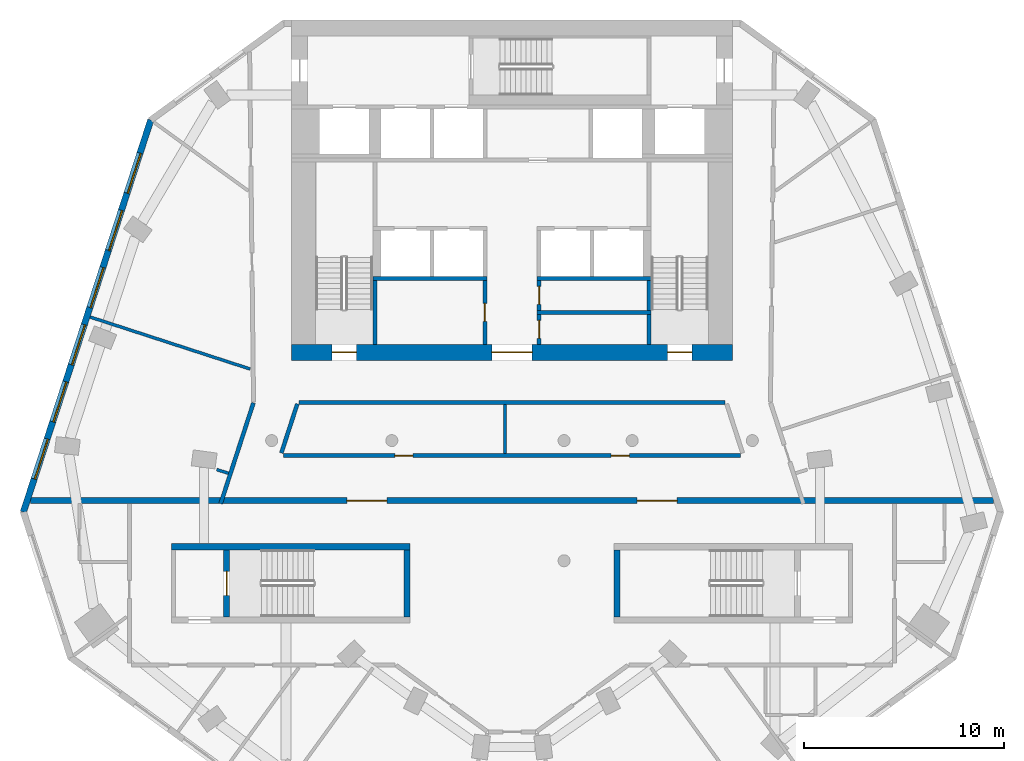
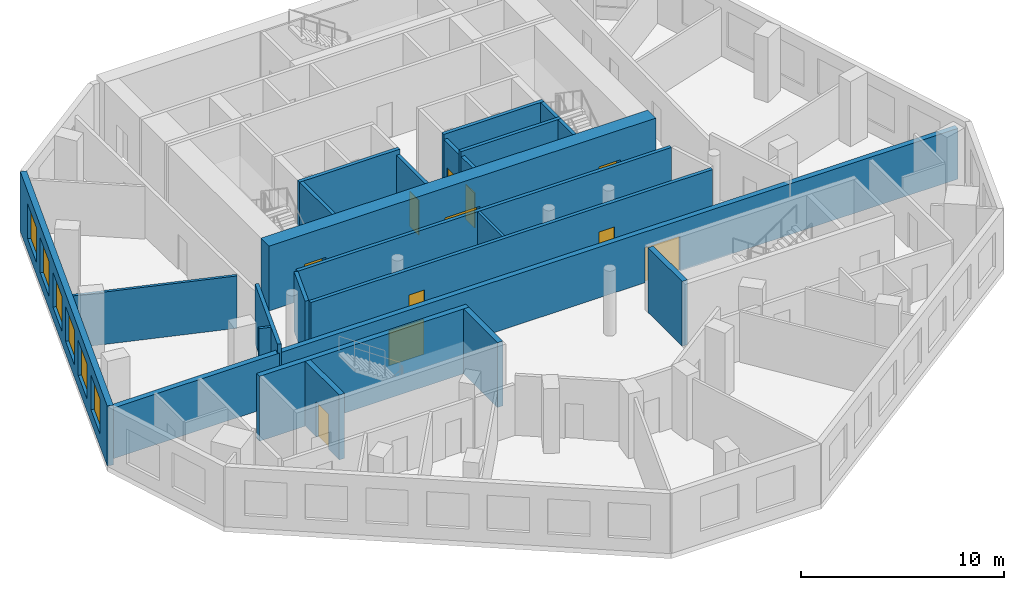
# One storey, part 3 of 9: 23 walls, 11 doors, 6 windows, 17 openings.
"""IFC4 building model written with IfcOpenShell, lengths in metres."""

import ifcopenshell
import ifcopenshell.guid

model = None  # the IFC model being written
_history = None  # IfcOwnerHistory: only IFC2X3 demands one
_inside = {}  # id of a spatial element -> (the spatial element, [elements in it])
_under = {}  # id of a project, library or spatial element -> (it, [spatial elements below it])
_declared = {}  # id of a project -> (the project, [libraries it declares])
_typed = {}  # id of a type object -> (the type object, [elements of that type])
_made_of = {}  # id of a material, layer set ... -> (it, [elements and type objects made of it])


def new_model(schema):
    """Start an empty IFC model of exactly this schema.

    Asked for "IFC4X3", IfcOpenShell would pick the latest addendum, in which some entities
    have other attributes; the version numbers below select the first issue.
    IFC2X3 requires an IfcOwnerHistory on every rooted entity: one is made here for all.
    """
    global model, _history
    if schema == "IFC4X3":
        model = ifcopenshell.file(schema_version=(4, 3, 0, 0))
    else:
        model = ifcopenshell.file(schema=schema)
    _inside.clear()
    _under.clear()
    _declared.clear()
    _typed.clear()
    _made_of.clear()
    _history = None
    if model.schema == "IFC2X3":
        org = make("IfcOrganization", Name="unknown")
        user = make(
            "IfcPersonAndOrganization",
            ThePerson=make("IfcPerson", FamilyName="unknown"),
            TheOrganization=org,
        )
        app = make(
            "IfcApplication",
            ApplicationDeveloper=org,
            Version="unknown",
            ApplicationFullName="unknown",
            ApplicationIdentifier="unknown",
        )
        _history = make(
            "IfcOwnerHistory",
            OwningUser=user,
            OwningApplication=app,
            ChangeAction="ADDED",
            CreationDate=0,
        )
    return model


def make(cls, **values):
    """One entity of the class cls with the attributes given. An attribute that is None is left unset."""
    return model.create_entity(
        cls, **{name: value for name, value in values.items() if value is not None}
    )


def rooted(cls, **values):
    """An entity with a GlobalId (a new one), such as an element, a storey or a relation."""
    return make(cls, GlobalId=ifcopenshell.guid.new(), OwnerHistory=_history, **values)


def si_unit(unit_type, name, prefix=None):
    """IfcSIUnit, for example si_unit("LENGTHUNIT", "METRE", prefix="MILLI")."""
    return make("IfcSIUnit", UnitType=unit_type, Prefix=prefix, Name=name)


def assignment(units):
    """IfcUnitAssignment: the units of a project."""
    return None if units is None else make("IfcUnitAssignment", Units=units)


def point(xyz):
    """IfcCartesianPoint."""
    return None if xyz is None else make("IfcCartesianPoint", Coordinates=xyz)


def direction(xyz):
    """IfcDirection."""
    return None if xyz is None else make("IfcDirection", DirectionRatios=xyz)


def frame(location, z_axis=None, x_axis=None):
    """IfcAxis2Placement3D, a coordinate frame: its origin and axes. An axis left out is left unset."""
    return make(
        "IfcAxis2Placement3D",
        Location=point(location),
        Axis=direction(z_axis),
        RefDirection=direction(x_axis),
    )


def frame_2d(location, x_axis=None):
    """IfcAxis2Placement2D, a coordinate frame in the plane: its origin and x axis."""
    return make(
        "IfcAxis2Placement2D", Location=point(location), RefDirection=direction(x_axis)
    )


def origin():
    """The frame at (0, 0, 0) with its axes left unset."""
    return frame((0.0, 0.0, 0.0))


def place(relative_to, where):
    """IfcLocalPlacement: puts the frame where relative to a parent placement (None: the world)."""
    return make(
        "IfcLocalPlacement", PlacementRelTo=relative_to, RelativePlacement=where
    )


def context(
    kind, dimensions, precision=None, world=None, true_north=None, identifier=None
):
    """IfcGeometricRepresentationContext, for example the 3D "Model" context."""
    return make(
        "IfcGeometricRepresentationContext",
        ContextIdentifier=identifier,
        ContextType=kind,
        CoordinateSpaceDimension=dimensions,
        Precision=precision,
        WorldCoordinateSystem=world,
        TrueNorth=true_north,
    )


def subcontext(parent, identifier, kind, view, scale=None):
    """IfcGeometricRepresentationSubContext, for example "Body" below "Model"."""
    return make(
        "IfcGeometricRepresentationSubContext",
        ContextIdentifier=identifier,
        ContextType=kind,
        ParentContext=parent,
        TargetScale=scale,
        TargetView=view,
    )


def project(units=None, contexts=None):
    """IfcProject with its units and contexts."""
    return rooted(
        "IfcProject",
        Name="project",
        RepresentationContexts=contexts,
        UnitsInContext=assignment(units),
    )


def spatial(cls, under=None, at=None, **own):
    """A site, building, storey or space (cls), placed at a placement, below another one or the project."""
    s = rooted(cls, ObjectPlacement=at, **own)
    if under is not None:
        _under.setdefault(under.id(), (under, []))[1].append(s)
    return s


def profile(cls, at=None, kind="AREA", **sizes):
    """A parametric profile (cls). Its sizes go by their IFC names, for example OverallWidth=200.0."""
    return make(cls, ProfileType=kind, Position=at, **sizes)


def rectangle(**sizes):
    """IfcRectangleProfileDef."""
    return profile("IfcRectangleProfileDef", **sizes)


def extrude(swept, where, along, depth):
    """IfcExtrudedAreaSolid: the profile swept, set in the frame where, extruded along a direction by depth."""
    return make(
        "IfcExtrudedAreaSolid",
        SweptArea=swept,
        Position=where,
        ExtrudedDirection=direction(along),
        Depth=depth,
    )


def shape(context_of_items, identifier, shape_type, items):
    """IfcShapeRepresentation: the items that make up one representation, for example the "Body"."""
    return make(
        "IfcShapeRepresentation",
        ContextOfItems=context_of_items,
        RepresentationIdentifier=identifier,
        RepresentationType=shape_type,
        Items=items,
    )


def material(Name=None, Category=None):
    """IfcMaterial."""
    return make("IfcMaterial", Name=Name, Category=Category)


def layer(
    of_material, thickness, ventilated=None, Name=None, Category=None, Priority=None
):
    """IfcMaterialLayer: one layer of a wall or slab, of a material (None: an air gap)."""
    return make(
        "IfcMaterialLayer",
        Material=of_material,
        LayerThickness=thickness,
        IsVentilated=ventilated,
        Name=Name,
        Category=Category,
        Priority=Priority,
    )


def layer_set(layers, Name=None):
    """IfcMaterialLayerSet."""
    return make("IfcMaterialLayerSet", MaterialLayers=layers, LayerSetName=Name)


def made_of(thing, what):
    """Note that an element or type object is made of a material, layer set ...; save() writes the relation."""
    if what is not None:
        _made_of.setdefault(what.id(), (what, []))[1].append(thing)
    return thing


def type_object(cls, material=None, **own):
    """A type object (cls), such as IfcWallType, which elements share."""
    return made_of(rooted(cls, **own), material)


def element(
    cls,
    number,
    at=None,
    inside=None,
    cuts=None,
    type_object=None,
    material=None,
    context=None,
    identifier="Body",
    shape_type=None,
    held_by="IfcProductDefinitionShape",
    body=None,
    shapes=None,
    **own,
):
    """One element of the class cls, such as IfcWall. Its Tag is "e" and its number.

    at: its placement. inside: the storey or other place that contains it. cuts: it is an
    opening in that element (IfcRelVoidsElement). A single representation is given by context,
    identifier, shape_type and body (its items); several are given by shapes. held_by: the class
    of the entity that holds the representations. save() writes the other relations.
    """
    e = rooted(cls, Tag="e%d" % number, ObjectPlacement=at, **own)
    if body is not None:
        shapes = [shape(context, identifier, shape_type, body)]
    if shapes is not None:
        e.Representation = make(held_by, Representations=shapes)
    if inside is not None:
        _inside.setdefault(inside.id(), (inside, []))[1].append(e)
    if cuts is not None:
        rooted(
            "IfcRelVoidsElement", RelatingBuildingElement=cuts, RelatedOpeningElement=e
        )
    if type_object is not None:
        _typed.setdefault(type_object.id(), (type_object, []))[1].append(e)
    return made_of(e, material)


def fill(opening, filler):
    """IfcRelFillsElement: the door or window that sits in an opening."""
    return rooted(
        "IfcRelFillsElement",
        RelatingOpeningElement=opening,
        RelatedBuildingElement=filler,
    )


def aggregate(whole, parts):
    """IfcRelAggregates: a whole, such as a stair, and the parts it consists of."""
    return rooted("IfcRelAggregates", RelatingObject=whole, RelatedObjects=parts)


def save(model, path):
    """Write the relations noted so far, then the file.

    IfcRelAggregates (storeys below a building ...), IfcRelContainedInSpatialStructure (elements
    in a storey), IfcRelDefinesByType, IfcRelAssociatesMaterial and IfcRelDeclares: one each for
    every whole, place, type object, material and project.
    """
    for whole, parts in _under.values():
        aggregate(whole, parts)
    for where, things in _inside.values():
        rooted(
            "IfcRelContainedInSpatialStructure",
            RelatedElements=things,
            RelatingStructure=where,
        )
    for kind, things in _typed.values():
        rooted("IfcRelDefinesByType", RelatedObjects=things, RelatingType=kind)
    for what, things in _made_of.values():
        rooted("IfcRelAssociatesMaterial", RelatedObjects=things, RelatingMaterial=what)
    for by, libraries in _declared.values():
        rooted("IfcRelDeclares", RelatingContext=by, RelatedDefinitions=libraries)
    model.write(path)


model = new_model("IFC4")

# Units and contexts
model_context = context("Model", 3, precision=1e-05, world=origin(), true_north=direction((0.0, 1.0)))
body_context = subcontext(model_context, "Body", "Model", "MODEL_VIEW")
ifc_project = project(units=[si_unit("LENGTHUNIT", "METRE"), si_unit("AREAUNIT", "SQUARE_METRE"), si_unit("VOLUMEUNIT", "CUBIC_METRE"), si_unit("PLANEANGLEUNIT", "RADIAN"), si_unit("MASSUNIT", "GRAM", prefix="KILO")], contexts=[model_context])

# Site, building, storey
site_placement = place(None, origin())
site = spatial("IfcSite", under=ifc_project, at=site_placement, CompositionType="ELEMENT")
building_placement = place(site_placement, origin())
building = spatial("IfcBuilding", under=site, at=building_placement, Name="White Candle Pilgrim Tower", CompositionType="ELEMENT")
storey_placement = place(building_placement, frame((0.0, 0.0, 223.800048828125)))
storey = spatial("IfcBuildingStorey", under=building, at=storey_placement, Name="L52", CompositionType="ELEMENT", Elevation=223.800048828125)

# Walls
ifc_material_1 = material(Name="Gypsum board on steel studs", Category="steel")
ifc_layer_1 = layer(ifc_material_1, 0.199951171875)
ifc_layer_set_1 = layer_set([ifc_layer_1], Name="Corridor wall 200 mm EI 45")
wall_type_1 = type_object("IfcWallType", Name="Corridor wall 200 mm EI 45", PredefinedType="PARTITIONING", material=ifc_layer_set_1)
wall_1_placement = place(storey_placement, frame((55.454345703125, 63.85009765625, 0.0), z_axis=(0.0, 0.0, 1.0), x_axis=(0.309009941901, 0.951058807754, 0.0)))
element("IfcWall", 1, at=wall_1_placement, inside=storey, type_object=wall_type_1, Name="WL-L52-P002", PredefinedType="PARTITIONING", context=body_context, shape_type="SweptSolid", body=[
    extrude(rectangle(XDim=5.29345703125, YDim=0.199951171875, at=frame_2d((2.646728515625, 0.0))), origin(), (0.0, 0.0, 1.0), 3.599853515625),
])
wall_2_placement = place(storey_placement, frame((80.6240234375, 68.89990234375, 0.0), z_axis=(0.0, 0.0, 1.0), x_axis=(-1.0, 0.0, 0.0)))
element("IfcWall", 2, at=wall_2_placement, inside=storey, type_object=wall_type_1, Name="WL-L52-P013", PredefinedType="PARTITIONING", context=body_context, shape_type="SweptSolid", body=[
    extrude(rectangle(XDim=21.248046875, YDim=0.199951171875, at=frame_2d((10.6240234375, 0.0))), origin(), (0.0, 0.0, 1.0), 3.599853515625),
])
wall_3_placement = place(storey_placement, frame((59.28076171875, 68.830810546875, 0.0), z_axis=(0.0, 0.0, 1.0), x_axis=(-0.308968203288, -0.951072368097, 0.0)))
element("IfcWall", 3, at=wall_3_placement, inside=storey, type_object=wall_type_1, Name="WL-L52-P014", PredefinedType="PARTITIONING", context=body_context, shape_type="SweptSolid", body=[
    extrude(rectangle(XDim=2.575927734375, YDim=0.199951171875, at=frame_2d((1.2880859375, 0.0))), origin(), (0.0, 0.0, 1.0), 3.599853515625),
])

# Wall, openings, doors
wall_4_placement = place(storey_placement, frame((58.579833984375, 66.25, 0.0), z_axis=(0.0, 0.0, 1.0), x_axis=(1.0, 0.0, 0.0)))
wall_4 = element("IfcWall", 4, at=wall_4_placement, inside=storey, type_object=wall_type_1, Name="WL-L52-P015", PredefinedType="PARTITIONING", context=body_context, shape_type="SweptSolid", body=[
    extrude(rectangle(XDim=22.84033203125, YDim=0.199951171875, at=frame_2d((11.420166015625, 0.0))), origin(), (0.0, 0.0, 1.0), 3.599853515625),
])
opening_1_placement = place(wall_4_placement, frame((5.56689453125, 0.0, 0.0)))
opening_1 = element("IfcOpeningElement", 5, at=opening_1_placement, cuts=wall_4, Name="Opening T16-116", PredefinedType="OPENING", context=body_context, shape_type="SweptSolid", body=[
    extrude(rectangle(XDim=0.89990234375, YDim=2.10009765625, at=frame_2d((0.449951171875, 1.050048828125))), frame((0.0, 0.10986328125, 0.0), z_axis=(0.0, -1.0, 0.0), x_axis=(1.0, 0.0, 0.0)), (0.0, 0.0, 1.0), 0.219970703125),
])
opening_2_placement = place(wall_4_placement, frame((16.37451171875, 0.0, 0.0)))
opening_2 = element("IfcOpeningElement", 6, at=opening_2_placement, cuts=wall_4, Name="Opening T16-117", PredefinedType="OPENING", context=body_context, shape_type="SweptSolid", body=[
    extrude(rectangle(XDim=0.89990234375, YDim=2.10009765625, at=frame_2d((0.449951171875, 1.050048828125))), frame((0.0, 0.10986328125, 0.0), z_axis=(0.0, -1.0, 0.0), x_axis=(1.0, 0.0, 0.0)), (0.0, 0.0, 1.0), 0.219970703125),
])
ifc_material_2 = material(Name="Steel door leaf", Category="steel")
door_type_1 = type_object("IfcDoorType", Name="Fire door 900 x 2100 EI 30", OperationType="NOTDEFINED", PredefinedType="DOOR", material=ifc_material_2)
door_1_placement = place(opening_1_placement, origin())
door_1 = element("IfcDoor", 7, at=door_1_placement, inside=storey, type_object=door_type_1, Name="Door T16-116", OperationType="SINGLE_SWING_RIGHT", OverallHeight=2.10009765625, OverallWidth=0.89990234375, PredefinedType="DOOR", context=body_context, shape_type="SweptSolid", body=[
    extrude(rectangle(XDim=0.89990234375, YDim=2.10009765625, at=frame_2d((0.449951171875, 1.050048828125))), frame((0.0, 0.02490234375, 0.0), z_axis=(0.0, -1.0, 0.0), x_axis=(1.0, 0.0, 0.0)), (0.0, 0.0, 1.0), 0.050048828125),
])
fill(opening_1, door_1)
door_2_placement = place(opening_2_placement, origin())
door_2 = element("IfcDoor", 8, at=door_2_placement, inside=storey, type_object=door_type_1, Name="Door T16-117", OperationType="SINGLE_SWING_LEFT", OverallHeight=2.10009765625, OverallWidth=0.89990234375, PredefinedType="DOOR", context=body_context, shape_type="SweptSolid", body=[
    extrude(rectangle(XDim=0.89990234375, YDim=2.10009765625, at=frame_2d((0.449951171875, 1.050048828125))), frame((0.0, 0.02490234375, 0.0), z_axis=(0.0, -1.0, 0.0), x_axis=(1.0, 0.0, 0.0)), (0.0, 0.0, 1.0), 0.050048828125),
])
fill(opening_2, door_2)

# Wall, openings, windows
ifc_material_3 = material(Name="Precast concrete C40/50", Category="concrete")
ifc_layer_2 = layer(ifc_material_3, 0.320068359375)
ifc_layer_set_2 = layer_set([ifc_layer_2], Name="Facade wall EW1 precast concrete C40/50 pier wall with timber-lined reveals")
wall_type_2 = type_object("IfcWallType", Name="Facade wall EW1 precast concrete C40/50 pier wall with timber-lined reveals", PredefinedType="SOLIDWALL", material=ifc_layer_set_2)
wall_5_placement = place(storey_placement, frame((51.96337890625, 83.00732421875, 0.0), z_axis=(0.0, 0.0, 1.0), x_axis=(-0.309012851328, -0.951057862443, 0.0)))
wall_5 = element("IfcWall", 9, at=wall_5_placement, inside=storey, type_object=wall_type_2, Name="Facade wall L52 WNW", PredefinedType="SOLIDWALL", context=body_context, shape_type="SweptSolid", body=[
    extrude(rectangle(XDim=20.582763671875, YDim=0.320068359375, at=frame_2d((10.29150390625, 0.0))), origin(), (0.0, 0.0, 1.0), 3.599853515625),
])
opening_3_placement = place(wall_5_placement, frame((1.741455078125, 0.0, 0.75)))
opening_3 = element("IfcOpeningElement", 10, at=opening_3_placement, cuts=wall_5, Name="Opening W3", PredefinedType="OPENING", context=body_context, shape_type="SweptSolid", body=[
    extrude(rectangle(XDim=2.10009765625, YDim=2.10009765625, at=frame_2d((1.050048828125, 1.050048828125))), frame((0.0, 0.169921875, 0.0), z_axis=(0.0, -1.0, 0.0), x_axis=(1.0, 0.0, 0.0)), (0.0, 0.0, 1.0), 0.340087890625),
])
opening_4_placement = place(wall_5_placement, frame((4.741455078125, 0.0, 0.75)))
opening_4 = element("IfcOpeningElement", 11, at=opening_4_placement, cuts=wall_5, Name="Opening W3", PredefinedType="OPENING", context=body_context, shape_type="SweptSolid", body=[
    extrude(rectangle(XDim=2.10009765625, YDim=2.10009765625, at=frame_2d((1.050048828125, 1.050048828125))), frame((0.0, 0.169921875, 0.0), z_axis=(0.0, -1.0, 0.0), x_axis=(1.0, 0.0, 0.0)), (0.0, 0.0, 1.0), 0.340087890625),
])
opening_5_placement = place(wall_5_placement, frame((7.741455078125, 0.0, 0.75)))
opening_5 = element("IfcOpeningElement", 12, at=opening_5_placement, cuts=wall_5, Name="Opening W3", PredefinedType="OPENING", context=body_context, shape_type="SweptSolid", body=[
    extrude(rectangle(XDim=2.10009765625, YDim=2.10009765625, at=frame_2d((1.050048828125, 1.050048828125))), frame((0.0, 0.169921875, 0.0), z_axis=(0.0, -1.0, 0.0), x_axis=(1.0, 0.0, 0.0)), (0.0, 0.0, 1.0), 0.340087890625),
])
opening_6_placement = place(wall_5_placement, frame((10.741455078125, 0.0, 0.75)))
opening_6 = element("IfcOpeningElement", 13, at=opening_6_placement, cuts=wall_5, Name="Opening W3", PredefinedType="OPENING", context=body_context, shape_type="SweptSolid", body=[
    extrude(rectangle(XDim=2.10009765625, YDim=2.10009765625, at=frame_2d((1.050048828125, 1.050048828125))), frame((0.0, 0.169921875, 0.0), z_axis=(0.0, -1.0, 0.0), x_axis=(1.0, 0.0, 0.0)), (0.0, 0.0, 1.0), 0.340087890625),
])
opening_7_placement = place(wall_5_placement, frame((13.741455078125, 0.0, 0.75)))
opening_7 = element("IfcOpeningElement", 14, at=opening_7_placement, cuts=wall_5, Name="Opening W3", PredefinedType="OPENING", context=body_context, shape_type="SweptSolid", body=[
    extrude(rectangle(XDim=2.10009765625, YDim=2.10009765625, at=frame_2d((1.050048828125, 1.050048828125))), frame((0.0, 0.169921875, 0.0), z_axis=(0.0, -1.0, 0.0), x_axis=(1.0, 0.0, 0.0)), (0.0, 0.0, 1.0), 0.340087890625),
])
opening_8_placement = place(wall_5_placement, frame((16.741455078125, 0.0, 0.75)))
opening_8 = element("IfcOpeningElement", 15, at=opening_8_placement, cuts=wall_5, Name="Opening W3", PredefinedType="OPENING", context=body_context, shape_type="SweptSolid", body=[
    extrude(rectangle(XDim=2.10009765625, YDim=2.10009765625, at=frame_2d((1.050048828125, 1.050048828125))), frame((0.0, 0.169921875, 0.0), z_axis=(0.0, -1.0, 0.0), x_axis=(1.0, 0.0, 0.0)), (0.0, 0.0, 1.0), 0.340087890625),
])
ifc_material_4 = material(Name="Timber frame with triple glazing", Category="wood")
window_type = type_object("IfcWindowType", Name="Window W3 2100x2100 timber frame triple glazing", PartitioningType="SINGLE_PANEL", PredefinedType="WINDOW", material=ifc_material_4)
window_1_placement = place(opening_3_placement, origin())
window_1 = element("IfcWindow", 16, at=window_1_placement, inside=storey, type_object=window_type, Name="Window W3 L52 WNW 1", OverallHeight=2.10009765625, OverallWidth=2.10009765625, PartitioningType="SINGLE_PANEL", PredefinedType="WINDOW", context=body_context, shape_type="SweptSolid", body=[
    extrude(rectangle(XDim=2.10009765625, YDim=2.10009765625, at=frame_2d((1.050048828125, 1.050048828125))), frame((0.0, 0.070068359375, 0.0), z_axis=(0.0, -1.0, 0.0), x_axis=(1.0, 0.0, 0.0)), (0.0, 0.0, 1.0), 0.06005859375),
])
fill(opening_3, window_1)
window_2_placement = place(opening_4_placement, origin())
window_2 = element("IfcWindow", 17, at=window_2_placement, inside=storey, type_object=window_type, Name="Window W3 L52 WNW 2", OverallHeight=2.10009765625, OverallWidth=2.10009765625, PartitioningType="SINGLE_PANEL", PredefinedType="WINDOW", context=body_context, shape_type="SweptSolid", body=[
    extrude(rectangle(XDim=2.10009765625, YDim=2.10009765625, at=frame_2d((1.050048828125, 1.050048828125))), frame((0.0, 0.070068359375, 0.0), z_axis=(0.0, -1.0, 0.0), x_axis=(1.0, 0.0, 0.0)), (0.0, 0.0, 1.0), 0.06005859375),
])
fill(opening_4, window_2)
window_3_placement = place(opening_5_placement, origin())
window_3 = element("IfcWindow", 18, at=window_3_placement, inside=storey, type_object=window_type, Name="Window W3 L52 WNW 3", OverallHeight=2.10009765625, OverallWidth=2.10009765625, PartitioningType="SINGLE_PANEL", PredefinedType="WINDOW", context=body_context, shape_type="SweptSolid", body=[
    extrude(rectangle(XDim=2.10009765625, YDim=2.10009765625, at=frame_2d((1.050048828125, 1.050048828125))), frame((0.0, 0.070068359375, 0.0), z_axis=(0.0, -1.0, 0.0), x_axis=(1.0, 0.0, 0.0)), (0.0, 0.0, 1.0), 0.06005859375),
])
fill(opening_5, window_3)
window_4_placement = place(opening_6_placement, origin())
window_4 = element("IfcWindow", 19, at=window_4_placement, inside=storey, type_object=window_type, Name="Window W3 L52 WNW 4", OverallHeight=2.10009765625, OverallWidth=2.10009765625, PartitioningType="SINGLE_PANEL", PredefinedType="WINDOW", context=body_context, shape_type="SweptSolid", body=[
    extrude(rectangle(XDim=2.10009765625, YDim=2.10009765625, at=frame_2d((1.050048828125, 1.050048828125))), frame((0.0, 0.070068359375, 0.0), z_axis=(0.0, -1.0, 0.0), x_axis=(1.0, 0.0, 0.0)), (0.0, 0.0, 1.0), 0.06005859375),
])
fill(opening_6, window_4)
window_5_placement = place(opening_7_placement, origin())
window_5 = element("IfcWindow", 20, at=window_5_placement, inside=storey, type_object=window_type, Name="Window W3 L52 WNW 5", OverallHeight=2.10009765625, OverallWidth=2.10009765625, PartitioningType="SINGLE_PANEL", PredefinedType="WINDOW", context=body_context, shape_type="SweptSolid", body=[
    extrude(rectangle(XDim=2.10009765625, YDim=2.10009765625, at=frame_2d((1.050048828125, 1.050048828125))), frame((0.0, 0.070068359375, 0.0), z_axis=(0.0, -1.0, 0.0), x_axis=(1.0, 0.0, 0.0)), (0.0, 0.0, 1.0), 0.06005859375),
])
fill(opening_7, window_5)
window_6_placement = place(opening_8_placement, origin())
window_6 = element("IfcWindow", 21, at=window_6_placement, inside=storey, type_object=window_type, Name="Window W3 L52 WNW 6", OverallHeight=2.10009765625, OverallWidth=2.10009765625, PartitioningType="SINGLE_PANEL", PredefinedType="WINDOW", context=body_context, shape_type="SweptSolid", body=[
    extrude(rectangle(XDim=2.10009765625, YDim=2.10009765625, at=frame_2d((1.050048828125, 1.050048828125))), frame((0.0, 0.070068359375, 0.0), z_axis=(0.0, -1.0, 0.0), x_axis=(1.0, 0.0, 0.0)), (0.0, 0.0, 1.0), 0.06005859375),
])
fill(opening_8, window_6)

# Wall, openings, doors
ifc_material_5 = material(Name="Aerated concrete block", Category="concrete")
ifc_layer_3 = layer(ifc_material_5, 0.300048828125)
ifc_layer_set_3 = layer_set([ifc_layer_3], Name="Fire wall 300 mm REI 240")
wall_type_3 = type_object("IfcWallType", Name="Fire wall 300 mm REI 240", PredefinedType="PARTITIONING", material=ifc_layer_set_3)
wall_6_placement = place(storey_placement, frame((45.955810546875, 64.0, 0.0), z_axis=(0.0, 0.0, 1.0), x_axis=(1.0, 0.0, 0.0)))
wall_6 = element("IfcWall", 22, at=wall_6_placement, inside=storey, type_object=wall_type_3, Name="WL-L52-P001", PredefinedType="PARTITIONING", context=body_context, shape_type="SweptSolid", body=[
    extrude(rectangle(XDim=48.08837890625, YDim=0.300048828125, at=frame_2d((24.044189453125, 0.0))), origin(), (0.0, 0.0, 1.0), 3.050048828125),
])
opening_9_placement = place(wall_6_placement, frame((15.795654296875, 0.0, 0.0)))
opening_9 = element("IfcOpeningElement", 23, at=opening_9_placement, cuts=wall_6, Name="Opening T16-114", PredefinedType="OPENING", context=body_context, shape_type="SweptSolid", body=[
    extrude(rectangle(XDim=2.0, YDim=2.10009765625, at=frame_2d((1.0, 1.050048828125))), frame((0.0, 0.159912109375, 0.0), z_axis=(0.0, -1.0, 0.0), x_axis=(1.0, 0.0, 0.0)), (0.0, 0.0, 1.0), 0.320068359375),
])
opening_10_placement = place(wall_6_placement, frame((30.292724609375, 0.0, 0.0)))
opening_10 = element("IfcOpeningElement", 24, at=opening_10_placement, cuts=wall_6, Name="Opening T16-115", PredefinedType="OPENING", context=body_context, shape_type="SweptSolid", body=[
    extrude(rectangle(XDim=2.0, YDim=2.10009765625, at=frame_2d((1.0, 1.050048828125))), frame((0.0, 0.159912109375, 0.0), z_axis=(0.0, -1.0, 0.0), x_axis=(1.0, 0.0, 0.0)), (0.0, 0.0, 1.0), 0.320068359375),
])
door_type_2 = type_object("IfcDoorType", Name="Fire door 2000 x 2100 EI 60", OperationType="NOTDEFINED", PredefinedType="DOOR", material=ifc_material_2)
door_3_placement = place(opening_9_placement, origin())
door_3 = element("IfcDoor", 25, at=door_3_placement, inside=storey, type_object=door_type_2, Name="Door T16-114", OperationType="DOUBLE_DOOR_SINGLE_SWING", OverallHeight=2.10009765625, OverallWidth=2.0, PredefinedType="DOOR", context=body_context, shape_type="SweptSolid", body=[
    extrude(rectangle(XDim=2.0, YDim=2.10009765625, at=frame_2d((1.0, 1.050048828125))), frame((0.0, 0.02490234375, 0.0), z_axis=(0.0, -1.0, 0.0), x_axis=(1.0, 0.0, 0.0)), (0.0, 0.0, 1.0), 0.050048828125),
])
fill(opening_9, door_3)
door_4_placement = place(opening_10_placement, origin())
door_4 = element("IfcDoor", 26, at=door_4_placement, inside=storey, type_object=door_type_2, Name="Door T16-115", OperationType="DOUBLE_DOOR_SINGLE_SWING", OverallHeight=2.10009765625, OverallWidth=2.0, PredefinedType="DOOR", context=body_context, shape_type="SweptSolid", body=[
    extrude(rectangle(XDim=2.0, YDim=2.10009765625, at=frame_2d((1.0, 1.050048828125))), frame((0.0, 0.02490234375, 0.0), z_axis=(0.0, -1.0, 0.0), x_axis=(1.0, 0.0, 0.0)), (0.0, 0.0, 1.0), 0.050048828125),
])
fill(opening_10, door_4)

# Wall, opening, door
ifc_layer_4 = layer(ifc_material_1, 0.199951171875)
ifc_layer_set_4 = layer_set([ifc_layer_4], Name="Lobby wall 200 mm EI 60")
wall_type_4 = type_object("IfcWallType", Name="Lobby wall 200 mm EI 60", PredefinedType="PARTITIONING", material=ifc_layer_set_4)
wall_7_placement = place(storey_placement, frame((68.64990234375, 71.800048828125, 0.0), z_axis=(0.0, 0.0, 1.0), x_axis=(0.0, 1.0, 0.0)))
wall_7 = element("IfcWall", 27, at=wall_7_placement, inside=storey, type_object=wall_type_4, Name="WL-L52-C14", PredefinedType="PARTITIONING", context=body_context, shape_type="SweptSolid", body=[
    extrude(rectangle(XDim=3.199951171875, YDim=0.199951171875, at=frame_2d((1.60009765625, 0.0))), origin(), (0.0, 0.0, 1.0), 3.599853515625),
])
opening_11_placement = place(wall_7_placement, frame((1.14990234375, 0.0, 0.0)))
opening_11 = element("IfcOpeningElement", 28, at=opening_11_placement, cuts=wall_7, Name="Opening T16-005", PredefinedType="OPENING", context=body_context, shape_type="SweptSolid", body=[
    extrude(rectangle(XDim=0.89990234375, YDim=2.10009765625, at=frame_2d((0.449951171875, 1.050048828125))), frame((0.0, 0.10986328125, 0.0), z_axis=(0.0, -1.0, 0.0), x_axis=(1.0, 0.0, 0.0)), (0.0, 0.0, 1.0), 0.219970703125),
])
door_5_placement = place(opening_11_placement, origin())
door_5 = element("IfcDoor", 29, at=door_5_placement, inside=storey, type_object=door_type_1, Name="Door T16-005", OperationType="SINGLE_SWING_LEFT", OverallHeight=2.10009765625, OverallWidth=0.89990234375, PredefinedType="DOOR", context=body_context, shape_type="SweptSolid", body=[
    extrude(rectangle(XDim=0.89990234375, YDim=2.10009765625, at=frame_2d((0.449951171875, 1.050048828125))), frame((0.0, 0.02490234375, 0.0), z_axis=(0.0, -1.0, 0.0), x_axis=(1.0, 0.0, 0.0)), (0.0, 0.0, 1.0), 0.050048828125),
])
fill(opening_11, door_5)

wall_8_placement = place(storey_placement, frame((71.35009765625, 71.800048828125, 0.0), z_axis=(0.0, 0.0, 1.0), x_axis=(0.0, 1.0, 0.0)))
wall_8 = element("IfcWall", 30, at=wall_8_placement, inside=storey, type_object=wall_type_4, Name="WL-L52-C15", PredefinedType="PARTITIONING", context=body_context, shape_type="SweptSolid", body=[
    extrude(rectangle(XDim=1.5, YDim=0.199951171875, at=frame_2d((0.75, 0.0))), origin(), (0.0, 0.0, 1.0), 3.599853515625),
])
opening_12_placement = place(wall_8_placement, frame((0.300048828125, 0.0, 0.0)))
opening_12 = element("IfcOpeningElement", 31, at=opening_12_placement, cuts=wall_8, Name="Opening T16-006", PredefinedType="OPENING", context=body_context, shape_type="SweptSolid", body=[
    extrude(rectangle(XDim=0.89990234375, YDim=2.10009765625, at=frame_2d((0.449951171875, 1.050048828125))), frame((0.0, 0.10986328125, 0.0), z_axis=(0.0, -1.0, 0.0), x_axis=(1.0, 0.0, 0.0)), (0.0, 0.0, 1.0), 0.219970703125),
])
door_6_placement = place(opening_12_placement, origin())
door_6 = element("IfcDoor", 32, at=door_6_placement, inside=storey, type_object=door_type_1, Name="Door T16-006", OperationType="SINGLE_SWING_RIGHT", OverallHeight=2.10009765625, OverallWidth=0.89990234375, PredefinedType="DOOR", context=body_context, shape_type="SweptSolid", body=[
    extrude(rectangle(XDim=0.89990234375, YDim=2.10009765625, at=frame_2d((0.449951171875, 1.050048828125))), frame((0.0, 0.02490234375, 0.0), z_axis=(0.0, -1.0, 0.0), x_axis=(1.0, 0.0, 0.0)), (0.0, 0.0, 1.0), 0.050048828125),
])
fill(opening_12, door_6)

wall_9_placement = place(storey_placement, frame((71.35009765625, 73.5, 0.0), z_axis=(0.0, 0.0, 1.0), x_axis=(0.0, 1.0, 0.0)))
wall_9 = element("IfcWall", 33, at=wall_9_placement, inside=storey, type_object=wall_type_4, Name="WL-L52-C19", PredefinedType="PARTITIONING", context=body_context, shape_type="SweptSolid", body=[
    extrude(rectangle(XDim=1.5, YDim=0.199951171875, at=frame_2d((0.75, 0.0))), origin(), (0.0, 0.0, 1.0), 3.599853515625),
])
opening_13_placement = place(wall_9_placement, frame((0.300048828125, 0.0, 0.0)))
opening_13 = element("IfcOpeningElement", 34, at=opening_13_placement, cuts=wall_9, Name="Opening T16-007", PredefinedType="OPENING", context=body_context, shape_type="SweptSolid", body=[
    extrude(rectangle(XDim=0.89990234375, YDim=2.10009765625, at=frame_2d((0.449951171875, 1.050048828125))), frame((0.0, 0.10986328125, 0.0), z_axis=(0.0, -1.0, 0.0), x_axis=(1.0, 0.0, 0.0)), (0.0, 0.0, 1.0), 0.219970703125),
])
door_7_placement = place(opening_13_placement, origin())
door_7 = element("IfcDoor", 35, at=door_7_placement, inside=storey, type_object=door_type_1, Name="Door T16-007", OperationType="SINGLE_SWING_LEFT", OverallHeight=2.10009765625, OverallWidth=0.89990234375, PredefinedType="DOOR", context=body_context, shape_type="SweptSolid", body=[
    extrude(rectangle(XDim=0.89990234375, YDim=2.10009765625, at=frame_2d((0.449951171875, 1.050048828125))), frame((0.0, 0.02490234375, 0.0), z_axis=(0.0, -1.0, 0.0), x_axis=(1.0, 0.0, 0.0)), (0.0, 0.0, 1.0), 0.050048828125),
])
fill(opening_13, door_7)

# Walls
ifc_layer_5 = layer(ifc_material_1, 0.14990234375)
ifc_layer_set_5 = layer_set([ifc_layer_5], Name="Partition 150 mm EI 60")
wall_type_5 = type_object("IfcWallType", Name="Partition 150 mm EI 60", PredefinedType="PARTITIONING", material=ifc_layer_set_5)
wall_10_placement = place(storey_placement, frame((48.935302734375, 73.170166015625, 0.0), z_axis=(0.0, 0.0, 1.0), x_axis=(0.951052231639, -0.309030180879, 0.0)))
element("IfcWall", 36, at=wall_10_placement, inside=storey, type_object=wall_type_5, Name="WL-L52-P023", PredefinedType="PARTITIONING", context=body_context, shape_type="SweptSolid", body=[
    extrude(rectangle(XDim=8.3955078125, YDim=0.14990234375, at=frame_2d((4.19775390625, 0.0))), origin(), (0.0, 0.0, 1.0), 3.14990234375),
])
wall_11_placement = place(storey_placement, frame((69.651123046875, 66.35009765625, 0.0), z_axis=(0.0, 0.0, 1.0), x_axis=(0.0, 1.0, 0.0)))
element("IfcWall", 37, at=wall_11_placement, inside=storey, type_object=wall_type_5, Name="WL-L52-P038", PredefinedType="PARTITIONING", context=body_context, shape_type="SweptSolid", body=[
    extrude(rectangle(XDim=2.449951171875, YDim=0.14990234375, at=frame_2d((1.22509765625, 0.0))), origin(), (0.0, 0.0, 1.0), 3.599853515625),
])
wall_12_placement = place(storey_placement, frame((55.2568359375, 65.55517578125, 0.0), z_axis=(0.0, 0.0, 1.0), x_axis=(0.951077833303, -0.30895137967, 0.0)))
element("IfcWall", 38, at=wall_12_placement, inside=storey, type_object=wall_type_5, Name="WL-L52-P041", PredefinedType="PARTITIONING", context=body_context, shape_type="SweptSolid", body=[
    extrude(rectangle(XDim=0.61474609375, YDim=0.14990234375, at=frame_2d((0.307373046875, 0.0))), origin(), (0.0, 0.0, 1.0), 3.599853515625),
])
ifc_material_6 = material(Name="Concrete C50/60", Category="concrete")
ifc_layer_6 = layer(ifc_material_6, 0.199951171875)
ifc_layer_set_6 = layer_set([ifc_layer_6], Name="Stair shaft wall 200 mm Concrete C50/60")
wall_type_6 = type_object("IfcWallType", Name="Stair shaft wall 200 mm Concrete C50/60", PredefinedType="SHEAR", material=ifc_layer_set_6)
wall_13_placement = place(storey_placement, frame((63.14990234375, 71.800048828125, 0.0), z_axis=(0.0, 0.0, 1.0), x_axis=(0.0, 1.0, 0.0)))
element("IfcWall", 39, at=wall_13_placement, inside=storey, type_object=wall_type_6, Name="WL-L52-C13", PredefinedType="SHEAR", context=body_context, shape_type="SweptSolid", body=[
    extrude(rectangle(XDim=3.199951171875, YDim=0.199951171875, at=frame_2d((1.60009765625, 0.0))), origin(), (0.0, 0.0, 1.0), 3.89990234375),
])
wall_14_placement = place(storey_placement, frame((76.85009765625, 71.800048828125, 0.0), z_axis=(0.0, 0.0, 1.0), x_axis=(0.0, 1.0, 0.0)))
element("IfcWall", 40, at=wall_14_placement, inside=storey, type_object=wall_type_6, Name="WL-L52-C16", PredefinedType="SHEAR", context=body_context, shape_type="SweptSolid", body=[
    extrude(rectangle(XDim=1.5, YDim=0.199951171875, at=frame_2d((0.75, 0.0))), origin(), (0.0, 0.0, 1.0), 3.89990234375),
])
wall_15_placement = place(storey_placement, frame((71.25, 73.39990234375, 0.0), z_axis=(0.0, 0.0, 1.0), x_axis=(1.0, 0.0, 0.0)))
element("IfcWall", 41, at=wall_15_placement, inside=storey, type_object=wall_type_6, Name="WL-L52-C18", PredefinedType="SHEAR", context=body_context, shape_type="SweptSolid", body=[
    extrude(rectangle(XDim=5.699951171875, YDim=0.199951171875, at=frame_2d((2.85009765625, 0.0))), origin(), (0.0, 0.0, 1.0), 3.89990234375),
])
wall_16_placement = place(storey_placement, frame((76.85009765625, 73.5, 0.0), z_axis=(0.0, 0.0, 1.0), x_axis=(0.0, 1.0, 0.0)))
element("IfcWall", 42, at=wall_16_placement, inside=storey, type_object=wall_type_6, Name="WL-L52-C20", PredefinedType="SHEAR", context=body_context, shape_type="SweptSolid", body=[
    extrude(rectangle(XDim=1.5, YDim=0.199951171875, at=frame_2d((0.75, 0.0))), origin(), (0.0, 0.0, 1.0), 3.89990234375),
])
for number, where, z_axis, x_axis, name in (
    (43, (63.050048828125, 75.10009765625, 0.0), (0.0, 0.0, 1.0), (1.0, 0.0, 0.0), "WL-L52-C21"),
    (44, (71.25, 75.10009765625, 0.0), (0.0, 0.0, 1.0), (1.0, 0.0, 0.0), "WL-L52-C22"),
):
    element("IfcWall", number, at=place(storey_placement, frame(where, z_axis=z_axis, x_axis=x_axis)), inside=storey, type_object=wall_type_6, Name=name, PredefinedType="SHEAR", context=body_context, shape_type="SweptSolid", body=[
        extrude(rectangle(XDim=5.699951171875, YDim=0.199951171875, at=frame_2d((2.85009765625, 0.0))), origin(), (0.0, 0.0, 1.0), 3.89990234375),
    ])

# Wall, opening, door
ifc_layer_7 = layer(ifc_material_6, 0.300048828125)
ifc_layer_set_7 = layer_set([ifc_layer_7], Name="Stair shaft wall 300 mm Concrete C50/60")
wall_type_7 = type_object("IfcWallType", Name="Stair shaft wall 300 mm Concrete C50/60", PredefinedType="SHEAR", material=ifc_layer_set_7)
wall_17_placement = place(storey_placement, frame((55.75, 58.199951171875, 0.0), z_axis=(0.0, 0.0, 1.0), x_axis=(0.0, 1.0, 0.0)))
wall_17 = element("IfcWall", 45, at=wall_17_placement, inside=storey, type_object=wall_type_7, Name="WL-L52-C04", PredefinedType="SHEAR", context=body_context, shape_type="SweptSolid", body=[
    extrude(rectangle(XDim=3.35009765625, YDim=0.300048828125, at=frame_2d((1.675048828125, 0.0))), origin(), (0.0, 0.0, 1.0), 3.89990234375),
])
opening_14_placement = place(wall_17_placement, frame((1.074951171875, 0.0, 0.0)))
opening_14 = element("IfcOpeningElement", 46, at=opening_14_placement, cuts=wall_17, Name="Opening T16-011", PredefinedType="OPENING", context=body_context, shape_type="SweptSolid", body=[
    extrude(rectangle(XDim=1.199951171875, YDim=2.10009765625, at=frame_2d((0.60009765625, 1.050048828125))), frame((0.0, 0.159912109375, 0.0), z_axis=(0.0, -1.0, 0.0), x_axis=(1.0, 0.0, 0.0)), (0.0, 0.0, 1.0), 0.320068359375),
])
door_type_3 = type_object("IfcDoorType", Name="Fire door 1200 x 2100 EI 60", OperationType="NOTDEFINED", PredefinedType="DOOR", material=ifc_material_2)
door_8_placement = place(opening_14_placement, frame((1.199951171875, 0.0, 0.0), z_axis=(0.0, 0.0, 1.0), x_axis=(-1.0, 0.0, 0.0)))
door_8 = element("IfcDoor", 47, at=door_8_placement, inside=storey, type_object=door_type_3, Name="Door T16-011", OperationType="SINGLE_SWING_RIGHT", OverallHeight=2.10009765625, OverallWidth=1.199951171875, PredefinedType="DOOR", context=body_context, shape_type="SweptSolid", body=[
    extrude(rectangle(XDim=1.199951171875, YDim=2.10009765625, at=frame_2d((0.60009765625, 1.050048828125))), frame((0.0, 0.02490234375, 0.0), z_axis=(0.0, -1.0, 0.0), x_axis=(1.0, 0.0, 0.0)), (0.0, 0.0, 1.0), 0.050048828125),
])
fill(opening_14, door_8)

# Walls
for number, where, z_axis, x_axis, name in (
    (48, (64.75, 58.199951171875, 0.0), (0.0, 0.0, 1.0), (0.0, 1.0, 0.0), "WL-L52-C05"),
    (49, (75.25, 58.199951171875, 0.0), (0.0, 0.0, 1.0), (0.0, 1.0, 0.0), "WL-L52-C06"),
):
    element("IfcWall", number, at=place(storey_placement, frame(where, z_axis=z_axis, x_axis=x_axis)), inside=storey, type_object=wall_type_7, Name=name, PredefinedType="SHEAR", context=body_context, shape_type="SweptSolid", body=[
        extrude(rectangle(XDim=3.35009765625, YDim=0.300048828125, at=frame_2d((1.675048828125, 0.0))), origin(), (0.0, 0.0, 1.0), 3.89990234375),
    ])
wall_18_placement = place(storey_placement, frame((53.0, 61.699951171875, 0.0), z_axis=(0.0, 0.0, 1.0), x_axis=(1.0, 0.0, 0.0)))
element("IfcWall", 50, at=wall_18_placement, inside=storey, type_object=wall_type_7, Name="WL-L52-C09", PredefinedType="SHEAR", context=body_context, shape_type="SweptSolid", body=[
    extrude(rectangle(XDim=11.89990234375, YDim=0.300048828125, at=frame_2d((5.949951171875, 0.0))), origin(), (0.0, 0.0, 1.0), 3.89990234375),
])

# Wall, openings, doors
ifc_layer_8 = layer(ifc_material_6, 0.800048828125)
ifc_layer_set_8 = layer_set([ifc_layer_8], Name="Stair shaft wall 800 mm Concrete C50/60")
wall_type_8 = type_object("IfcWallType", Name="Stair shaft wall 800 mm Concrete C50/60", PredefinedType="SHEAR", material=ifc_layer_set_8)
wall_19_placement = place(storey_placement, frame((59.0, 71.39990234375, 0.0), z_axis=(0.0, 0.0, 1.0), x_axis=(1.0, 0.0, 0.0)))
wall_19 = element("IfcWall", 51, at=wall_19_placement, inside=storey, type_object=wall_type_8, Name="WL-L52-C11", PredefinedType="SHEAR", context=body_context, shape_type="SweptSolid", body=[
    extrude(rectangle(XDim=22.0, YDim=0.800048828125, at=frame_2d((11.0, 0.0))), origin(), (0.0, 0.0, 1.0), 3.89990234375),
])
opening_15_placement = place(wall_19_placement, frame((2.02490234375, 0.0, 0.0)))
opening_15 = element("IfcOpeningElement", 52, at=opening_15_placement, cuts=wall_19, Name="Opening T16-001", PredefinedType="OPENING", context=body_context, shape_type="SweptSolid", body=[
    extrude(rectangle(XDim=1.199951171875, YDim=2.10009765625, at=frame_2d((0.60009765625, 1.050048828125))), frame((0.0, 0.409912109375, 0.0), z_axis=(0.0, -1.0, 0.0), x_axis=(1.0, 0.0, 0.0)), (0.0, 0.0, 1.0), 0.820068359375),
])
opening_16_placement = place(wall_19_placement, frame((18.77490234375, 0.0, 0.0)))
opening_16 = element("IfcOpeningElement", 53, at=opening_16_placement, cuts=wall_19, Name="Opening T16-002", PredefinedType="OPENING", context=body_context, shape_type="SweptSolid", body=[
    extrude(rectangle(XDim=1.199951171875, YDim=2.10009765625, at=frame_2d((0.60009765625, 1.050048828125))), frame((0.0, 0.409912109375, 0.0), z_axis=(0.0, -1.0, 0.0), x_axis=(1.0, 0.0, 0.0)), (0.0, 0.0, 1.0), 0.820068359375),
])
opening_17_placement = place(wall_19_placement, frame((10.0, 0.0, 0.0)))
opening_17 = element("IfcOpeningElement", 54, at=opening_17_placement, cuts=wall_19, Name="Opening T16-004", PredefinedType="OPENING", context=body_context, shape_type="SweptSolid", body=[
    extrude(rectangle(XDim=2.0, YDim=2.10009765625, at=frame_2d((1.0, 1.050048828125))), frame((0.0, 0.409912109375, 0.0), z_axis=(0.0, -1.0, 0.0), x_axis=(1.0, 0.0, 0.0)), (0.0, 0.0, 1.0), 0.820068359375),
])
door_9_placement = place(opening_15_placement, frame((1.199951171875, 0.0, 0.0), z_axis=(0.0, 0.0, 1.0), x_axis=(-1.0, 0.0, 0.0)))
door_9 = element("IfcDoor", 55, at=door_9_placement, inside=storey, type_object=door_type_3, Name="Door T16-001", OperationType="SINGLE_SWING_RIGHT", OverallHeight=2.10009765625, OverallWidth=1.199951171875, PredefinedType="DOOR", context=body_context, shape_type="SweptSolid", body=[
    extrude(rectangle(XDim=1.199951171875, YDim=2.10009765625, at=frame_2d((0.60009765625, 1.050048828125))), frame((0.0, 0.02490234375, 0.0), z_axis=(0.0, -1.0, 0.0), x_axis=(1.0, 0.0, 0.0)), (0.0, 0.0, 1.0), 0.050048828125),
])
fill(opening_15, door_9)
door_10_placement = place(opening_16_placement, frame((1.199951171875, 0.0, 0.0), z_axis=(0.0, 0.0, 1.0), x_axis=(-1.0, 0.0, 0.0)))
door_10 = element("IfcDoor", 56, at=door_10_placement, inside=storey, type_object=door_type_3, Name="Door T16-002", OperationType="SINGLE_SWING_LEFT", OverallHeight=2.10009765625, OverallWidth=1.199951171875, PredefinedType="DOOR", context=body_context, shape_type="SweptSolid", body=[
    extrude(rectangle(XDim=1.199951171875, YDim=2.10009765625, at=frame_2d((0.60009765625, 1.050048828125))), frame((0.0, 0.02490234375, 0.0), z_axis=(0.0, -1.0, 0.0), x_axis=(1.0, 0.0, 0.0)), (0.0, 0.0, 1.0), 0.050048828125),
])
fill(opening_16, door_10)
door_11_placement = place(opening_17_placement, frame((2.0, 0.0, 0.0), z_axis=(0.0, 0.0, 1.0), x_axis=(-1.0, 0.0, 0.0)))
door_11 = element("IfcDoor", 57, at=door_11_placement, inside=storey, type_object=door_type_2, Name="Door T16-004", OperationType="DOUBLE_DOOR_SINGLE_SWING", OverallHeight=2.10009765625, OverallWidth=2.0, PredefinedType="DOOR", context=body_context, shape_type="SweptSolid", body=[
    extrude(rectangle(XDim=2.0, YDim=2.10009765625, at=frame_2d((1.0, 1.050048828125))), frame((0.0, 0.02490234375, 0.0), z_axis=(0.0, -1.0, 0.0), x_axis=(1.0, 0.0, 0.0)), (0.0, 0.0, 1.0), 0.050048828125),
])
fill(opening_17, door_11)

save(model, "model.ifc")
